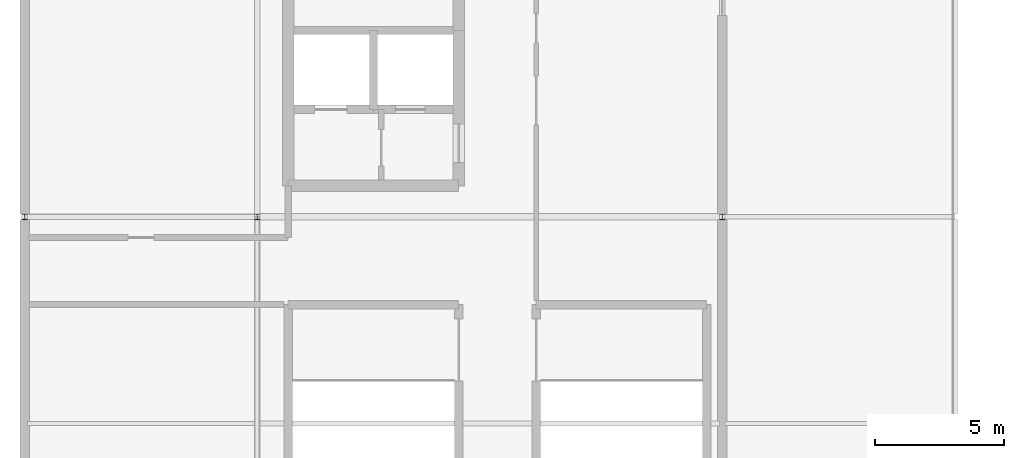
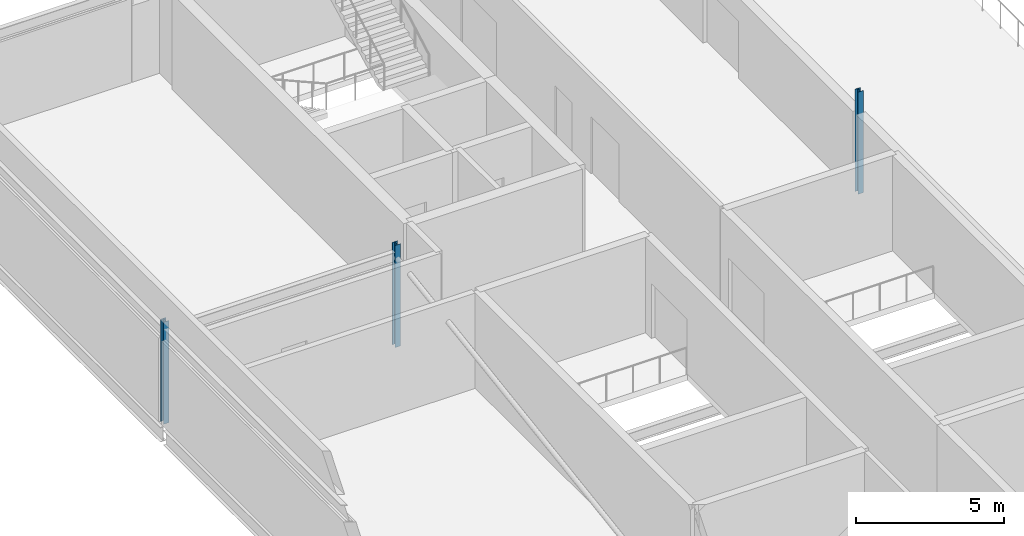
# One storey, part 4 of 23: 3 columns.
"""IFC4 building model written with IfcOpenShell, lengths in metres."""

from ifc_helpers import new_model, si_unit, direction, frame, origin, origin_2d, place, context, subcontext, project, spatial, i_section, extrude, material, material_profile, profile_set, type_object, element, save


model = new_model("IFC4")

# Units and contexts
model_context = context("Model", 3, precision=1e-05, world=origin(), true_north=direction((0.0, 1.0)))
body_context = subcontext(model_context, "Body", "Model", "MODEL_VIEW")
ifc_project = project(units=[si_unit("LENGTHUNIT", "METRE"), si_unit("AREAUNIT", "SQUARE_METRE"), si_unit("VOLUMEUNIT", "CUBIC_METRE"), si_unit("PLANEANGLEUNIT", "RADIAN"), si_unit("MASSUNIT", "GRAM", prefix="KILO")], contexts=[model_context])

# Site, building, storey
site_placement = place(None, origin())
site = spatial("IfcSite", under=ifc_project, at=site_placement, CompositionType="ELEMENT")
building_placement = place(site_placement, origin())
building = spatial("IfcBuilding", under=site, at=building_placement, Name="Kisiwana Market Hall", CompositionType="ELEMENT")
storey_placement = place(building_placement, frame((0.0, 0.0, 65.699951171875)))
storey = spatial("IfcBuildingStorey", under=building, at=storey_placement, Name="L15", CompositionType="ELEMENT", Elevation=65.699951171875)

# Columns
ifc_material = material(Name="Steel S355", Category="steel")
ifc_material_profile = material_profile(ifc_material, i_section(OverallWidth=0.205810546875, OverallDepth=0.209716796875, WebThickness=0.009521484375, FlangeThickness=0.01416015625, FilletRadius=0.01025390625, at=origin_2d()), Name="UC 203x203x60")
ifc_profile_set = profile_set([ifc_material_profile], Name="Steel S355")
column_type = type_object("IfcColumnType", Name="COL-STL-UC060", PredefinedType="COLUMN", material=ifc_profile_set)
for number, where, z_axis, x_axis, name in (
    (1, (0.0, 84.0, 0.0), (0.0, 0.0, 1.0), (1.0, 0.0, 0.0), "Column L/1 (L15) C-1483"),
    (2, (9.0, 84.0, 0.0), (0.0, 0.0, 1.0), (1.0, 0.0, 0.0), "Column L/2 (L15) C-1487"),
    (3, (27.0, 84.0, 0.0), (0.0, 0.0, 1.0), (1.0, 0.0, 0.0), "Column L/4 (L15) C-1492"),
):
    element("IfcColumn", number, at=place(storey_placement, frame(where, z_axis=z_axis, x_axis=x_axis)), inside=storey, type_object=column_type, Name=name, PredefinedType="COLUMN", context=body_context, shape_type="SweptSolid", body=[
        extrude(i_section(OverallWidth=0.205810546875, OverallDepth=0.209716796875, WebThickness=0.009521484375, FlangeThickness=0.01416015625, FilletRadius=0.01025390625, at=origin_2d()), origin(), (0.0, 0.0, 1.0), 4.199951171875),
    ])

save(model, "model.ifc")
